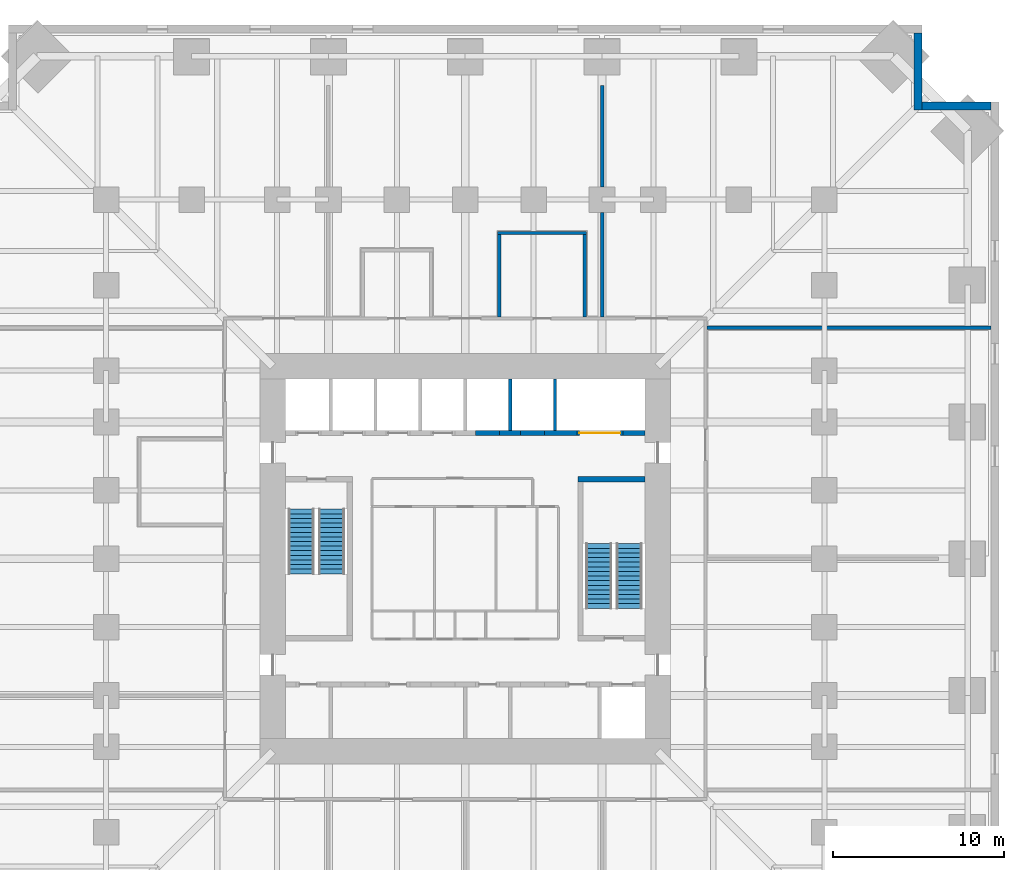
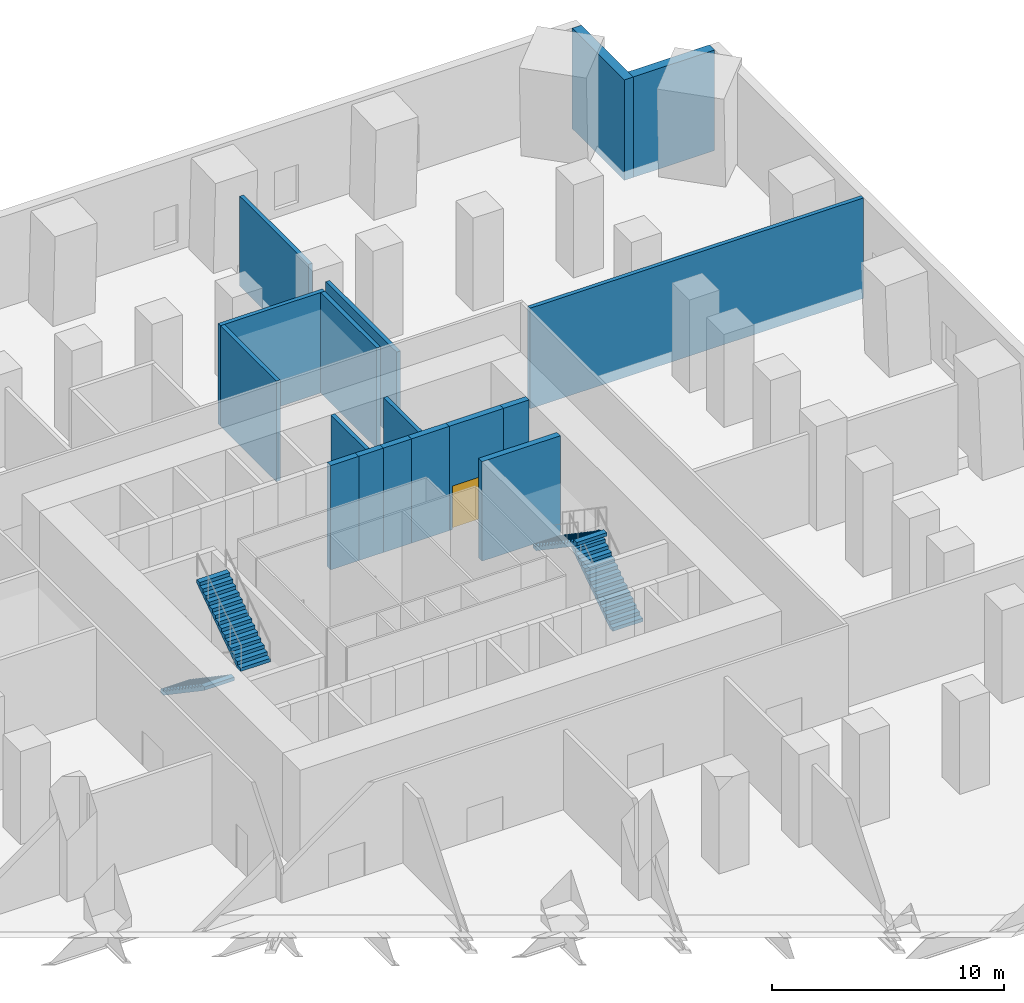
# One storey, part 7 of 8: 17 walls, 4 stair flights, 1 door, 1 opening, 2 elements without a shape of their own.
"""IFC4 building model written with IfcOpenShell, lengths in metres."""

from ifc_helpers import new_model, si_unit, direction, frame, frame_2d, origin, place, context, subcontext, project, spatial, polyline, rectangle, outline, extrude, material, layer, layer_set, type_object, element, fill, aggregate, save


model = new_model("IFC4")

# Units and contexts
model_context = context("Model", 3, precision=1e-05, world=origin(), true_north=direction((0.0, 1.0)))
body_context = subcontext(model_context, "Body", "Model", "MODEL_VIEW")
ifc_project = project(units=[si_unit("LENGTHUNIT", "METRE"), si_unit("AREAUNIT", "SQUARE_METRE"), si_unit("VOLUMEUNIT", "CUBIC_METRE"), si_unit("PLANEANGLEUNIT", "RADIAN"), si_unit("MASSUNIT", "GRAM", prefix="KILO")], contexts=[model_context])

# Site, building, storey
site_placement = place(None, origin())
site = spatial("IfcSite", under=ifc_project, at=site_placement, CompositionType="ELEMENT")
building_placement = place(site_placement, origin())
building = spatial("IfcBuilding", under=site, at=building_placement, Name="Peilmerk Tower", CompositionType="ELEMENT")
storey_placement = place(building_placement, frame((0.0, 0.0, 37.5)))
storey = spatial("IfcBuildingStorey", under=building, at=storey_placement, Name="L07", CompositionType="ELEMENT", Elevation=37.5)

# Walls
ifc_material_1 = material(Name="Precast concrete C45/55, board-marked finish", Category="concrete")
ifc_layer_1 = layer(ifc_material_1, 0.449951171875)
ifc_layer_set_1 = layer_set([ifc_layer_1], Name="Precast concrete C45/55, board-marked finish")
wall_type_1 = type_object("IfcWallType", Name="EW1 450 precast concrete facade wall, board-marked", PredefinedType="SOLIDWALL", material=ifc_layer_set_1)
wall_1_placement = place(storey_placement, frame((26.47509765625, 26.25, 0.0), z_axis=(0.0, 0.0, 1.0), x_axis=(0.0, 1.0, 0.0)))
element("IfcWall", 1, at=wall_1_placement, inside=storey, type_object=wall_type_1, Name="Facade wall NEA L07", PredefinedType="SOLIDWALL", context=body_context, shape_type="SweptSolid", body=[
    extrude(rectangle(XDim=4.5, YDim=0.449951171875, at=frame_2d((2.25, 0.0))), origin(), (0.0, 0.0, 1.0), 5.300048828125),
])
wall_2_placement = place(storey_placement, frame((26.699951171875, 26.47509765625, 0.0), z_axis=(0.0, 0.0, 1.0), x_axis=(1.0, 0.0, 0.0)))
element("IfcWall", 2, at=wall_2_placement, inside=storey, type_object=wall_type_1, Name="Facade wall NEB L07", PredefinedType="SOLIDWALL", context=body_context, shape_type="SweptSolid", body=[
    extrude(rectangle(XDim=4.050048828125, YDim=0.449951171875, at=frame_2d((2.02490234375, 0.0))), origin(), (0.0, 0.0, 1.0), 5.300048828125),
])
ifc_material_2 = material(Name="Calcium silicate block", Category="masonry")
ifc_layer_2 = layer(ifc_material_2, 0.199951171875)
ifc_layer_set_2 = layer_set([ifc_layer_2], Name="Calcium silicate block")
wall_type_2 = type_object("IfcWallType", Name="IW2 200 room separating wall, EI 120", PredefinedType="PARTITIONING", material=ifc_layer_set_2)
wall_3_placement = place(storey_placement, frame((14.125, 13.5, 0.0), z_axis=(0.0, 0.0, 1.0), x_axis=(1.0, 0.0, 0.0)))
element("IfcWall", 3, at=wall_3_placement, inside=storey, type_object=wall_type_2, Name="Room separating wall NE L07", PredefinedType="PARTITIONING", context=body_context, shape_type="SweptSolid", body=[
    extrude(rectangle(XDim=16.625, YDim=0.199951171875, at=frame_2d((8.3125, 0.0))), origin(), (0.0, 0.0, 1.0), 5.300048828125),
])
wall_4_placement = place(storey_placement, frame((8.0, 14.125, 0.0), z_axis=(0.0, 0.0, 1.0), x_axis=(0.0, 1.0, 0.0)))
element("IfcWall", 4, at=wall_4_placement, inside=storey, type_object=wall_type_2, Name="Room separating wall N2 L07", PredefinedType="PARTITIONING", context=body_context, shape_type="SweptSolid", body=[
    extrude(rectangle(XDim=6.125, YDim=0.199951171875, at=frame_2d((3.0625, 0.0))), origin(), (0.0, 0.0, 1.0), 4.73095703125),
])
wall_5_placement = place(storey_placement, frame((8.0, 21.75, 0.0), z_axis=(0.0, 0.0, 1.0), x_axis=(0.0, 1.0, 0.0)))
element("IfcWall", 5, at=wall_5_placement, inside=storey, type_object=wall_type_2, Name="Room separating wall N2b L07", PredefinedType="PARTITIONING", context=body_context, shape_type="SweptSolid", body=[
    extrude(rectangle(XDim=5.927978515625, YDim=0.199951171875, at=frame_2d((2.9638671875, 0.0))), origin(), (0.0, 0.0, 1.0), 4.73095703125),
])
wall_6_placement = place(storey_placement, frame((1.89990234375, 19.050048828125, 0.0), z_axis=(0.0, 0.0, 1.0), x_axis=(1.0, 0.0, 0.0)))
element("IfcWall", 6, at=wall_6_placement, inside=storey, type_object=wall_type_2, Name="Room separating wall Operations office L07", PredefinedType="PARTITIONING", context=body_context, shape_type="SweptSolid", body=[
    extrude(rectangle(XDim=5.2001953125, YDim=0.199951171875, at=frame_2d((2.60009765625, 0.0))), origin(), (0.0, 0.0, 1.0), 5.300048828125),
])
for number, where, z_axis, x_axis, name in (
    (7, (2.0, 14.125, 0.0), (0.0, 0.0, 1.0), (0.0, 1.0, 0.0), "Room separating wall Operations office L07"),
    (8, (7.0, 14.125, 0.0), (0.0, 0.0, 1.0), (0.0, 1.0, 0.0), "Room separating wall Operations office L07"),
):
    element("IfcWall", number, at=place(storey_placement, frame(where, z_axis=z_axis, x_axis=x_axis)), inside=storey, type_object=wall_type_2, Name=name, PredefinedType="PARTITIONING", context=body_context, shape_type="SweptSolid", body=[
        extrude(rectangle(XDim=4.824951171875, YDim=0.199951171875, at=frame_2d((2.41259765625, 0.0))), origin(), (0.0, 0.0, 1.0), 5.300048828125),
    ])
ifc_material_3 = material(Name="Concrete C35/45", Category="concrete")
ifc_layer_3 = layer(ifc_material_3, 0.300048828125)
ifc_layer_set_3 = layer_set([ifc_layer_3], Name="Concrete C35/45")
wall_type_3 = type_object("IfcWallType", Name="IW3 300 concrete stair enclosure wall, EI 120", PredefinedType="SOLIDWALL", material=ifc_layer_set_3)
wall_7_placement = place(storey_placement, frame((6.60009765625, 4.64990234375, 0.0), z_axis=(0.0, 0.0, 1.0), x_axis=(1.0, 0.0, 0.0)))
element("IfcWall", 9, at=wall_7_placement, inside=storey, type_object=wall_type_3, Name="Stair 2 enclosure L07", PredefinedType="SOLIDWALL", context=body_context, shape_type="SweptSolid", body=[
    extrude(rectangle(XDim=3.89990234375, YDim=0.300048828125, at=frame_2d((1.949951171875, 0.0))), origin(), (0.0, 0.0, 1.0), 5.25),
])
ifc_layer_4 = layer(ifc_material_2, 0.199951171875)
ifc_layer_set_4 = layer_set([ifc_layer_4], Name="Calcium silicate block")
wall_type_4 = type_object("IfcWallType", Name="SH1 200 shaft dividing wall, EI 120", PredefinedType="PARTITIONING", material=ifc_layer_set_4)
for number, where, z_axis, x_axis, name in (
    (10, (2.625, 7.5, 0.0), (0.0, 0.0, 1.0), (0.0, 1.0, 0.0), "Shaft wall N S1 L07"),
    (11, (5.25, 7.5, 0.0), (0.0, 0.0, 1.0), (0.0, 1.0, 0.0), "Shaft wall N S2 L07"),
):
    element("IfcWall", number, at=place(storey_placement, frame(where, z_axis=z_axis, x_axis=x_axis)), inside=storey, type_object=wall_type_4, Name=name, PredefinedType="PARTITIONING", context=body_context, shape_type="SweptSolid", body=[
        extrude(rectangle(XDim=3.0, YDim=0.199951171875, at=frame_2d((1.5, 0.0))), origin(), (0.0, 0.0, 1.0), 5.5),
    ])
ifc_layer_5 = layer(ifc_material_2, 0.300048828125)
ifc_layer_set_5 = layer_set([ifc_layer_5], Name="Calcium silicate block")
wall_type_5 = type_object("IfcWallType", Name="SH2 300 lift landing door panel, EI 120", PredefinedType="PARTITIONING", material=ifc_layer_set_5)
for number, where, z_axis, x_axis, name in (
    (12, (0.612548828125, 7.35009765625, 0.0), (0.0, 0.0, 1.0), (1.0, 0.0, 0.0), "Lift door panel N S1 L07"),
    (13, (3.237548828125, 7.35009765625, 0.0), (0.0, 0.0, 1.0), (1.0, 0.0, 0.0), "Lift door panel N S2 L07"),
):
    element("IfcWall", number, at=place(storey_placement, frame(where, z_axis=z_axis, x_axis=x_axis)), inside=storey, type_object=wall_type_5, Name=name, PredefinedType="PARTITIONING", context=body_context, shape_type="SweptSolid", body=[
        extrude(rectangle(XDim=1.39990234375, YDim=0.300048828125, at=frame_2d((0.699951171875, 0.0))), origin(), (0.0, 0.0, 1.0), 5.5),
    ])

# Wall, opening, door
wall_8_placement = place(storey_placement, frame((6.52490234375, 7.35009765625, 0.0), z_axis=(0.0, 0.0, 1.0), x_axis=(1.0, 0.0, 0.0)))
wall_8 = element("IfcWall", 14, at=wall_8_placement, inside=storey, type_object=wall_type_5, Name="Lift door panel N GL1 L07", PredefinedType="PARTITIONING", context=body_context, shape_type="SweptSolid", body=[
    extrude(rectangle(XDim=2.7001953125, YDim=0.300048828125, at=frame_2d((1.35009765625, 0.0))), origin(), (0.0, 0.0, 1.0), 5.5),
])
opening_placement = place(wall_8_placement, frame((0.14990234375, 0.0, 0.0)))
opening = element("IfcOpeningElement", 15, at=opening_placement, cuts=wall_8, Name="Opening LD3", PredefinedType="OPENING", context=body_context, shape_type="SweptSolid", body=[
    extrude(rectangle(XDim=2.39990234375, YDim=2.300048828125, at=frame_2d((1.199951171875, 1.14990234375))), frame((0.0, 0.159912109375, 0.0), z_axis=(0.0, -1.0, 0.0), x_axis=(1.0, 0.0, 0.0)), (0.0, 0.0, 1.0), 0.320068359375),
])
ifc_material_4 = material(Name="Stainless steel landing door", Category="steel")
door_type = type_object("IfcDoorType", Name="LD3 2400x2300 lift landing door, sliding, EI2 60", OperationType="SLIDING_TO_LEFT", PredefinedType="DOOR", material=ifc_material_4)
door_placement = place(opening_placement, frame((2.39990234375, 0.0, 0.0), z_axis=(0.0, 0.0, 1.0), x_axis=(-1.0, 0.0, 0.0)))
door = element("IfcDoor", 16, at=door_placement, inside=storey, type_object=door_type, Name="Lift landing door GL1 L07", OperationType="SLIDING_TO_LEFT", OverallHeight=2.300048828125, OverallWidth=2.39990234375, PredefinedType="DOOR", context=body_context, shape_type="SweptSolid", body=[
    extrude(rectangle(XDim=2.39990234375, YDim=2.300048828125, at=frame_2d((1.199951171875, 1.14990234375))), frame((0.0, 0.02490234375, 0.0), z_axis=(0.0, -1.0, 0.0), x_axis=(1.0, 0.0, 0.0)), (0.0, 0.0, 1.0), 0.050048828125),
])
fill(opening, door)

# Walls
ifc_material_5 = material(Name="Concrete C55/67", Category="concrete")
ifc_layer_6 = layer(ifc_material_5, 0.300048828125)
ifc_layer_set_6 = layer_set([ifc_layer_6], Name="Concrete C55/67")
wall_type_6 = type_object("IfcWallType", Name="SW2 300 lift bank pier", PredefinedType="SHEAR", material=ifc_layer_set_6)
wall_9_placement = place(storey_placement, frame((2.012451171875, 7.35009765625, 0.0), z_axis=(0.0, 0.0, 1.0), x_axis=(1.0, 0.0, 0.0)))
element("IfcWall", 17, at=wall_9_placement, inside=storey, type_object=wall_type_6, Name="Lift bank pier N L07", PredefinedType="SHEAR", context=body_context, shape_type="SweptSolid", body=[
    extrude(rectangle(XDim=1.22509765625, YDim=0.300048828125, at=frame_2d((0.612548828125, 0.0))), origin(), (0.0, 0.0, 1.0), 5.5),
])
wall_10_placement = place(storey_placement, frame((4.637451171875, 7.35009765625, 0.0), z_axis=(0.0, 0.0, 1.0), x_axis=(1.0, 0.0, 0.0)))
element("IfcWall", 18, at=wall_10_placement, inside=storey, type_object=wall_type_6, Name="Lift bank pier N L07", PredefinedType="SHEAR", context=body_context, shape_type="SweptSolid", body=[
    extrude(rectangle(XDim=1.887451171875, YDim=0.300048828125, at=frame_2d((0.94384765625, 0.0))), origin(), (0.0, 0.0, 1.0), 5.5),
])
wall_11_placement = place(storey_placement, frame((9.22509765625, 7.35009765625, 0.0), z_axis=(0.0, 0.0, 1.0), x_axis=(1.0, 0.0, 0.0)))
element("IfcWall", 19, at=wall_11_placement, inside=storey, type_object=wall_type_6, Name="Lift bank pier N L07", PredefinedType="SHEAR", context=body_context, shape_type="SweptSolid", body=[
    extrude(rectangle(XDim=1.27490234375, YDim=0.300048828125, at=frame_2d((0.637451171875, 0.0))), origin(), (0.0, 0.0, 1.0), 5.5),
])

# Stair, stair flights
ifc_material_6 = material(Name="Precast concrete C45/55", Category="concrete")
stair_type_1 = type_object("IfcStairType", Name="ST1 30 risers of 183.3", PredefinedType="HALF_TURN_STAIR", material=ifc_material_6)
stair_1_placement = place(storey_placement, origin())
stair_1 = element("IfcStair", 20, at=stair_1_placement, inside=storey, type_object=stair_type_1, Name="Stair 1 L07 to L08", PredefinedType="HALF_TURN_STAIR")
stair_flight_type = type_object("IfcStairFlightType", Name="SF15 flight, 15 risers of 183.3", PredefinedType="STRAIGHT", material=ifc_material_6)
stair_flight_1_placement = place(storey_placement, frame((-9.60009765625, 2.89990234375, 0.0), z_axis=(0.0, 0.0, 1.0), x_axis=(0.0, -1.0, 0.0)))
stair_flight_1 = element("IfcStairFlight", 21, at=stair_flight_1_placement, type_object=stair_flight_type, Name="ST1 flight 1", NumberOfRisers=15, NumberOfTreads=14, PredefinedType="STRAIGHT", RiserHeight=0.183333333, TreadLength=0.27, context=body_context, shape_type="SweptSolid", body=[
    extrude(outline(polyline([(0.0, 0.0), (0.0, 0.183349609375), (0.27001953125, 0.183349609375), (0.27001953125, 0.36669921875), (0.5400390625, 0.36669921875), (0.5400390625, 0.550048828125), (0.81005859375, 0.550048828125), (0.81005859375, 0.7333984375), (1.080078125, 0.7333984375), (1.080078125, 0.916748046875), (1.35009765625, 0.916748046875), (1.35009765625, 1.10009765625), (1.6201171875, 1.10009765625), (1.6201171875, 1.283447265625), (1.889892578125, 1.283447265625), (1.889892578125, 1.466552734375), (2.159912109375, 1.466552734375), (2.159912109375, 1.64990234375), (2.429931640625, 1.64990234375), (2.429931640625, 1.833251953125), (2.699951171875, 1.833251953125), (2.699951171875, 2.0166015625), (2.969970703125, 2.0166015625), (2.969970703125, 2.199951171875), (3.239990234375, 2.199951171875), (3.239990234375, 2.38330078125), (3.510009765625, 2.38330078125), (3.510009765625, 2.566650390625), (3.780029296875, 2.566650390625), (3.780029296875, 2.75), (3.780029296875, 2.385498046875), (0.266845703125, 0.0), (0.0, 0.0)])), frame((0.0, 0.75, 0.0), z_axis=(0.0, -1.0, 0.0), x_axis=(1.0, 0.0, 0.0)), (0.0, 0.0, 1.0), 1.5),
])
stair_flight_2_placement = place(storey_placement, frame((-7.800048828125, -0.8798828125, 2.75), z_axis=(0.0, 0.0, 1.0), x_axis=(0.0, 1.0, 0.0)))
stair_flight_2 = element("IfcStairFlight", 22, at=stair_flight_2_placement, type_object=stair_flight_type, Name="ST1 flight 2", NumberOfRisers=15, NumberOfTreads=14, PredefinedType="STRAIGHT", RiserHeight=0.183333333, TreadLength=0.27, context=body_context, shape_type="SweptSolid", body=[
    extrude(outline(polyline([(0.0, 0.0), (0.0, 0.183349609375), (0.27001953125, 0.183349609375), (0.27001953125, 0.36669921875), (0.5400390625, 0.36669921875), (0.5400390625, 0.550048828125), (0.81005859375, 0.550048828125), (0.81005859375, 0.7333984375), (1.080078125, 0.7333984375), (1.080078125, 0.916748046875), (1.35009765625, 0.916748046875), (1.35009765625, 1.10009765625), (1.6201171875, 1.10009765625), (1.6201171875, 1.283447265625), (1.889892578125, 1.283447265625), (1.889892578125, 1.466552734375), (2.159912109375, 1.466552734375), (2.159912109375, 1.64990234375), (2.429931640625, 1.64990234375), (2.429931640625, 1.833251953125), (2.699951171875, 1.833251953125), (2.699951171875, 2.0166015625), (2.969970703125, 2.0166015625), (2.969970703125, 2.199951171875), (3.239990234375, 2.199951171875), (3.239990234375, 2.38330078125), (3.510009765625, 2.38330078125), (3.510009765625, 2.566650390625), (3.780029296875, 2.566650390625), (3.780029296875, 2.75), (3.780029296875, 2.385498046875), (0.266845703125, 0.0), (0.0, 0.0)])), frame((0.0, 0.75, 0.0), z_axis=(0.0, -1.0, 0.0), x_axis=(1.0, 0.0, 0.0)), (0.0, 0.0, 1.0), 1.5),
])
aggregate(stair_1, [stair_flight_1, stair_flight_2])

stair_type_2 = type_object("IfcStairType", Name="ST2 30 risers of 183.3", PredefinedType="HALF_TURN_STAIR", material=ifc_material_6)
stair_2_placement = place(storey_placement, origin())
stair_2 = element("IfcStair", 23, at=stair_2_placement, inside=storey, type_object=stair_type_2, Name="Stair 2 L07 to L08", PredefinedType="HALF_TURN_STAIR")
stair_flight_3_placement = place(storey_placement, frame((9.60009765625, -2.89990234375, 0.0), z_axis=(0.0, 0.0, 1.0), x_axis=(0.0, 1.0, 0.0)))
stair_flight_3 = element("IfcStairFlight", 24, at=stair_flight_3_placement, type_object=stair_flight_type, Name="ST2 flight 1", NumberOfRisers=15, NumberOfTreads=14, PredefinedType="STRAIGHT", RiserHeight=0.183333333, TreadLength=0.27, context=body_context, shape_type="SweptSolid", body=[
    extrude(outline(polyline([(0.0, 0.0), (0.0, 0.183349609375), (0.27001953125, 0.183349609375), (0.27001953125, 0.36669921875), (0.5400390625, 0.36669921875), (0.5400390625, 0.550048828125), (0.81005859375, 0.550048828125), (0.81005859375, 0.7333984375), (1.080078125, 0.7333984375), (1.080078125, 0.916748046875), (1.35009765625, 0.916748046875), (1.35009765625, 1.10009765625), (1.6201171875, 1.10009765625), (1.6201171875, 1.283447265625), (1.889892578125, 1.283447265625), (1.889892578125, 1.466552734375), (2.159912109375, 1.466552734375), (2.159912109375, 1.64990234375), (2.429931640625, 1.64990234375), (2.429931640625, 1.833251953125), (2.699951171875, 1.833251953125), (2.699951171875, 2.0166015625), (2.969970703125, 2.0166015625), (2.969970703125, 2.199951171875), (3.239990234375, 2.199951171875), (3.239990234375, 2.38330078125), (3.510009765625, 2.38330078125), (3.510009765625, 2.566650390625), (3.780029296875, 2.566650390625), (3.780029296875, 2.75), (3.780029296875, 2.385498046875), (0.266845703125, 0.0), (0.0, 0.0)])), frame((0.0, 0.75, 0.0), z_axis=(0.0, -1.0, 0.0), x_axis=(1.0, 0.0, 0.0)), (0.0, 0.0, 1.0), 1.5),
])
stair_flight_4_placement = place(storey_placement, frame((7.800048828125, 0.8798828125, 2.75), z_axis=(0.0, 0.0, 1.0), x_axis=(0.0, -1.0, 0.0)))
stair_flight_4 = element("IfcStairFlight", 25, at=stair_flight_4_placement, type_object=stair_flight_type, Name="ST2 flight 2", NumberOfRisers=15, NumberOfTreads=14, PredefinedType="STRAIGHT", RiserHeight=0.183333333, TreadLength=0.27, context=body_context, shape_type="SweptSolid", body=[
    extrude(outline(polyline([(0.0, 0.0), (0.0, 0.183349609375), (0.27001953125, 0.183349609375), (0.27001953125, 0.36669921875), (0.5400390625, 0.36669921875), (0.5400390625, 0.550048828125), (0.81005859375, 0.550048828125), (0.81005859375, 0.7333984375), (1.080078125, 0.7333984375), (1.080078125, 0.916748046875), (1.35009765625, 0.916748046875), (1.35009765625, 1.10009765625), (1.6201171875, 1.10009765625), (1.6201171875, 1.283447265625), (1.889892578125, 1.283447265625), (1.889892578125, 1.466552734375), (2.159912109375, 1.466552734375), (2.159912109375, 1.64990234375), (2.429931640625, 1.64990234375), (2.429931640625, 1.833251953125), (2.699951171875, 1.833251953125), (2.699951171875, 2.0166015625), (2.969970703125, 2.0166015625), (2.969970703125, 2.199951171875), (3.239990234375, 2.199951171875), (3.239990234375, 2.38330078125), (3.510009765625, 2.38330078125), (3.510009765625, 2.566650390625), (3.780029296875, 2.566650390625), (3.780029296875, 2.75), (3.780029296875, 2.385498046875), (0.266845703125, 0.0), (0.0, 0.0)])), frame((0.0, 0.75, 0.0), z_axis=(0.0, -1.0, 0.0), x_axis=(1.0, 0.0, 0.0)), (0.0, 0.0, 1.0), 1.5),
])
aggregate(stair_2, [stair_flight_3, stair_flight_4])

save(model, "model.ifc")
